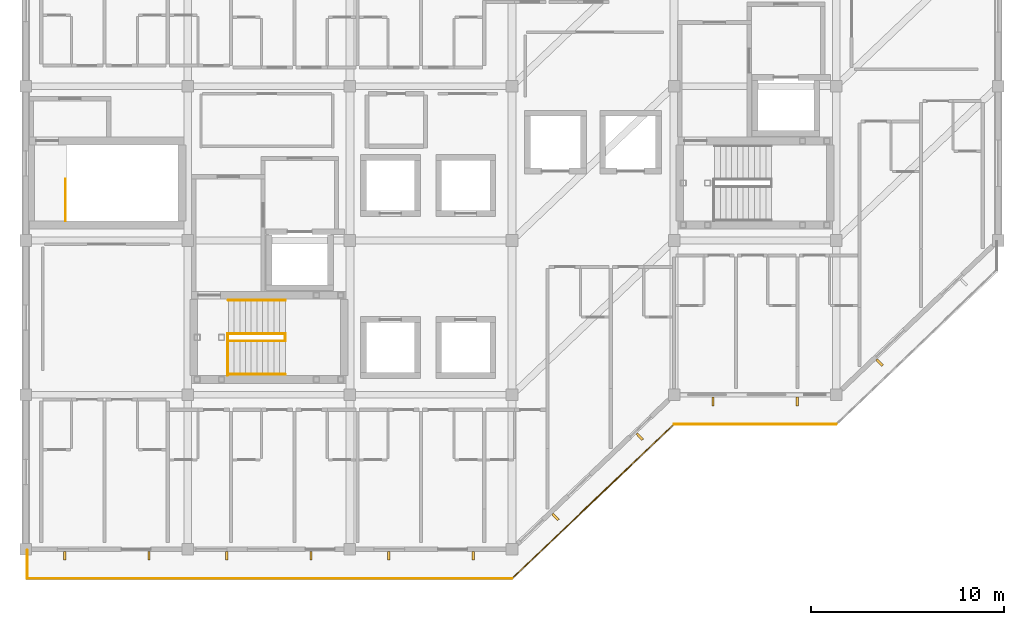
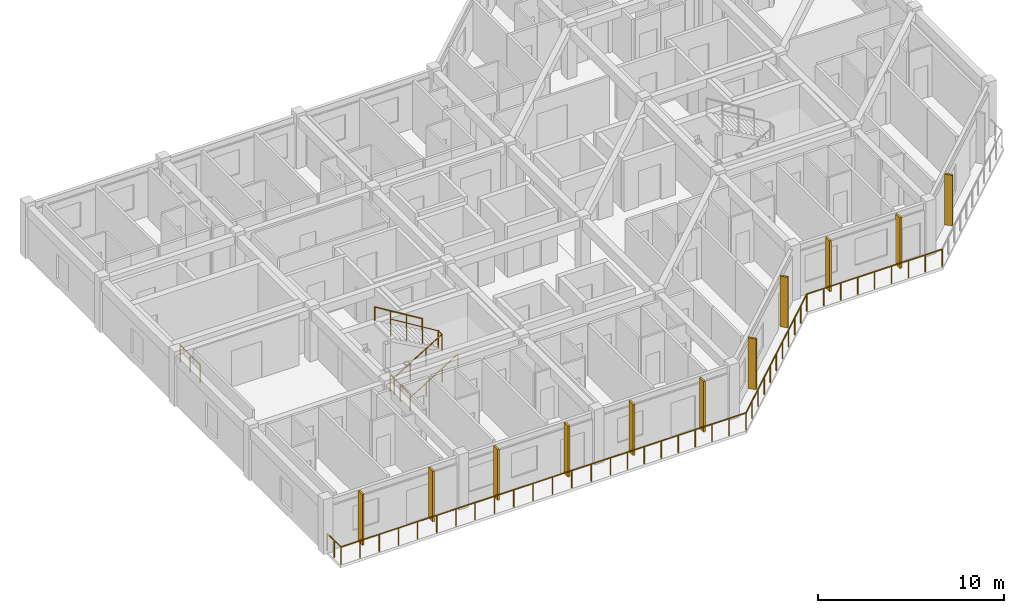
# One storey, part 13 of 14: 13 railings, 11 shading devices.
"""IFC4 building model written with IfcOpenShell, lengths in metres."""

import ifcopenshell
import ifcopenshell.guid

model = None  # the IFC model being written
_history = None  # IfcOwnerHistory: only IFC2X3 demands one
_inside = {}  # id of a spatial element -> (the spatial element, [elements in it])
_under = {}  # id of a project, library or spatial element -> (it, [spatial elements below it])
_declared = {}  # id of a project -> (the project, [libraries it declares])
_typed = {}  # id of a type object -> (the type object, [elements of that type])
_made_of = {}  # id of a material, layer set ... -> (it, [elements and type objects made of it])


def new_model(schema):
    """Start an empty IFC model of exactly this schema.

    Asked for "IFC4X3", IfcOpenShell would pick the latest addendum, in which some entities
    have other attributes; the version numbers below select the first issue.
    IFC2X3 requires an IfcOwnerHistory on every rooted entity: one is made here for all.
    """
    global model, _history
    if schema == "IFC4X3":
        model = ifcopenshell.file(schema_version=(4, 3, 0, 0))
    else:
        model = ifcopenshell.file(schema=schema)
    _inside.clear()
    _under.clear()
    _declared.clear()
    _typed.clear()
    _made_of.clear()
    _history = None
    if model.schema == "IFC2X3":
        org = make("IfcOrganization", Name="unknown")
        user = make(
            "IfcPersonAndOrganization",
            ThePerson=make("IfcPerson", FamilyName="unknown"),
            TheOrganization=org,
        )
        app = make(
            "IfcApplication",
            ApplicationDeveloper=org,
            Version="unknown",
            ApplicationFullName="unknown",
            ApplicationIdentifier="unknown",
        )
        _history = make(
            "IfcOwnerHistory",
            OwningUser=user,
            OwningApplication=app,
            ChangeAction="ADDED",
            CreationDate=0,
        )
    return model


def make(cls, **values):
    """One entity of the class cls with the attributes given. An attribute that is None is left unset."""
    return model.create_entity(
        cls, **{name: value for name, value in values.items() if value is not None}
    )


def rooted(cls, **values):
    """An entity with a GlobalId (a new one), such as an element, a storey or a relation."""
    return make(cls, GlobalId=ifcopenshell.guid.new(), OwnerHistory=_history, **values)


def si_unit(unit_type, name, prefix=None):
    """IfcSIUnit, for example si_unit("LENGTHUNIT", "METRE", prefix="MILLI")."""
    return make("IfcSIUnit", UnitType=unit_type, Prefix=prefix, Name=name)


def assignment(units):
    """IfcUnitAssignment: the units of a project."""
    return None if units is None else make("IfcUnitAssignment", Units=units)


def point(xyz):
    """IfcCartesianPoint."""
    return None if xyz is None else make("IfcCartesianPoint", Coordinates=xyz)


def direction(xyz):
    """IfcDirection."""
    return None if xyz is None else make("IfcDirection", DirectionRatios=xyz)


def frame(location, z_axis=None, x_axis=None):
    """IfcAxis2Placement3D, a coordinate frame: its origin and axes. An axis left out is left unset."""
    return make(
        "IfcAxis2Placement3D",
        Location=point(location),
        Axis=direction(z_axis),
        RefDirection=direction(x_axis),
    )


def frame_2d(location, x_axis=None):
    """IfcAxis2Placement2D, a coordinate frame in the plane: its origin and x axis."""
    return make(
        "IfcAxis2Placement2D", Location=point(location), RefDirection=direction(x_axis)
    )


def origin():
    """The frame at (0, 0, 0) with its axes left unset."""
    return frame((0.0, 0.0, 0.0))


def origin_2d():
    """The frame at (0, 0) in the plane with its x axis left unset."""
    return frame_2d((0.0, 0.0))


def place(relative_to, where):
    """IfcLocalPlacement: puts the frame where relative to a parent placement (None: the world)."""
    return make(
        "IfcLocalPlacement", PlacementRelTo=relative_to, RelativePlacement=where
    )


def context(
    kind, dimensions, precision=None, world=None, true_north=None, identifier=None
):
    """IfcGeometricRepresentationContext, for example the 3D "Model" context."""
    return make(
        "IfcGeometricRepresentationContext",
        ContextIdentifier=identifier,
        ContextType=kind,
        CoordinateSpaceDimension=dimensions,
        Precision=precision,
        WorldCoordinateSystem=world,
        TrueNorth=true_north,
    )


def subcontext(parent, identifier, kind, view, scale=None):
    """IfcGeometricRepresentationSubContext, for example "Body" below "Model"."""
    return make(
        "IfcGeometricRepresentationSubContext",
        ContextIdentifier=identifier,
        ContextType=kind,
        ParentContext=parent,
        TargetScale=scale,
        TargetView=view,
    )


def project(units=None, contexts=None):
    """IfcProject with its units and contexts."""
    return rooted(
        "IfcProject",
        Name="project",
        RepresentationContexts=contexts,
        UnitsInContext=assignment(units),
    )


def spatial(cls, under=None, at=None, **own):
    """A site, building, storey or space (cls), placed at a placement, below another one or the project."""
    s = rooted(cls, ObjectPlacement=at, **own)
    if under is not None:
        _under.setdefault(under.id(), (under, []))[1].append(s)
    return s


def profile(cls, at=None, kind="AREA", **sizes):
    """A parametric profile (cls). Its sizes go by their IFC names, for example OverallWidth=200.0."""
    return make(cls, ProfileType=kind, Position=at, **sizes)


def rectangle(**sizes):
    """IfcRectangleProfileDef."""
    return profile("IfcRectangleProfileDef", **sizes)


def circle(**sizes):
    """IfcCircleProfileDef."""
    return profile("IfcCircleProfileDef", **sizes)


def extrude(swept, where, along, depth):
    """IfcExtrudedAreaSolid: the profile swept, set in the frame where, extruded along a direction by depth."""
    return make(
        "IfcExtrudedAreaSolid",
        SweptArea=swept,
        Position=where,
        ExtrudedDirection=direction(along),
        Depth=depth,
    )


def shape(context_of_items, identifier, shape_type, items):
    """IfcShapeRepresentation: the items that make up one representation, for example the "Body"."""
    return make(
        "IfcShapeRepresentation",
        ContextOfItems=context_of_items,
        RepresentationIdentifier=identifier,
        RepresentationType=shape_type,
        Items=items,
    )


def material(Name=None, Category=None):
    """IfcMaterial."""
    return make("IfcMaterial", Name=Name, Category=Category)


def layer(
    of_material, thickness, ventilated=None, Name=None, Category=None, Priority=None
):
    """IfcMaterialLayer: one layer of a wall or slab, of a material (None: an air gap)."""
    return make(
        "IfcMaterialLayer",
        Material=of_material,
        LayerThickness=thickness,
        IsVentilated=ventilated,
        Name=Name,
        Category=Category,
        Priority=Priority,
    )


def layer_set(layers, Name=None):
    """IfcMaterialLayerSet."""
    return make("IfcMaterialLayerSet", MaterialLayers=layers, LayerSetName=Name)


def made_of(thing, what):
    """Note that an element or type object is made of a material, layer set ...; save() writes the relation."""
    if what is not None:
        _made_of.setdefault(what.id(), (what, []))[1].append(thing)
    return thing


def type_object(cls, material=None, **own):
    """A type object (cls), such as IfcWallType, which elements share."""
    return made_of(rooted(cls, **own), material)


def element(
    cls,
    number,
    at=None,
    inside=None,
    cuts=None,
    type_object=None,
    material=None,
    context=None,
    identifier="Body",
    shape_type=None,
    held_by="IfcProductDefinitionShape",
    body=None,
    shapes=None,
    **own,
):
    """One element of the class cls, such as IfcWall. Its Tag is "e" and its number.

    at: its placement. inside: the storey or other place that contains it. cuts: it is an
    opening in that element (IfcRelVoidsElement). A single representation is given by context,
    identifier, shape_type and body (its items); several are given by shapes. held_by: the class
    of the entity that holds the representations. save() writes the other relations.
    """
    e = rooted(cls, Tag="e%d" % number, ObjectPlacement=at, **own)
    if body is not None:
        shapes = [shape(context, identifier, shape_type, body)]
    if shapes is not None:
        e.Representation = make(held_by, Representations=shapes)
    if inside is not None:
        _inside.setdefault(inside.id(), (inside, []))[1].append(e)
    if cuts is not None:
        rooted(
            "IfcRelVoidsElement", RelatingBuildingElement=cuts, RelatedOpeningElement=e
        )
    if type_object is not None:
        _typed.setdefault(type_object.id(), (type_object, []))[1].append(e)
    return made_of(e, material)


def aggregate(whole, parts):
    """IfcRelAggregates: a whole, such as a stair, and the parts it consists of."""
    return rooted("IfcRelAggregates", RelatingObject=whole, RelatedObjects=parts)


def save(model, path):
    """Write the relations noted so far, then the file.

    IfcRelAggregates (storeys below a building ...), IfcRelContainedInSpatialStructure (elements
    in a storey), IfcRelDefinesByType, IfcRelAssociatesMaterial and IfcRelDeclares: one each for
    every whole, place, type object, material and project.
    """
    for whole, parts in _under.values():
        aggregate(whole, parts)
    for where, things in _inside.values():
        rooted(
            "IfcRelContainedInSpatialStructure",
            RelatedElements=things,
            RelatingStructure=where,
        )
    for kind, things in _typed.values():
        rooted("IfcRelDefinesByType", RelatedObjects=things, RelatingType=kind)
    for what, things in _made_of.values():
        rooted("IfcRelAssociatesMaterial", RelatedObjects=things, RelatingMaterial=what)
    for by, libraries in _declared.values():
        rooted("IfcRelDeclares", RelatingContext=by, RelatedDefinitions=libraries)
    model.write(path)


model = new_model("IFC4")

# Units and contexts
model_context = context("Model", 3, precision=1e-05, world=origin(), true_north=direction((0.0, 1.0)))
body_context = subcontext(model_context, "Body", "Model", "MODEL_VIEW")
ifc_project = project(units=[si_unit("LENGTHUNIT", "METRE"), si_unit("AREAUNIT", "SQUARE_METRE"), si_unit("VOLUMEUNIT", "CUBIC_METRE"), si_unit("PLANEANGLEUNIT", "RADIAN"), si_unit("MASSUNIT", "GRAM", prefix="KILO")], contexts=[model_context])

# Site, building, storey
site_placement = place(None, origin())
site = spatial("IfcSite", under=ifc_project, at=site_placement, CompositionType="ELEMENT")
building_placement = place(site_placement, origin())
building = spatial("IfcBuilding", under=site, at=building_placement, Name="Naruveol Harbour Congress Hotel", CompositionType="ELEMENT")
storey_placement = place(building_placement, frame((0.0, 0.0, 39.60009765625)))
storey = spatial("IfcBuildingStorey", under=building, at=storey_placement, Name="L09", CompositionType="ELEMENT", Elevation=39.60009765625)

# Railings
ifc_material_1 = material(Name="Tempered Laminated Safety Glass & Stainless Steel", Category="steel")
ifc_layer_1 = layer(ifc_material_1, 0.06005859375)
ifc_layer_set_1 = layer_set([ifc_layer_1], Name="Tempered Laminated Safety Glass & Stainless Steel")
railing_type_1 = type_object("IfcRailingType", Name="LAMINATED GLASS TERRACE BALUSTRADE 1150", PredefinedType="BALUSTRADE", material=ifc_layer_set_1)
railing_1_placement = place(storey_placement, frame((117.679931640625, -0.06005859375, 0.0)))
element("IfcRailing", 1, at=railing_1_placement, inside=storey, type_object=railing_type_1, Name="L09 Harbour balcony balustrade #120", PredefinedType="BALUSTRADE", context=body_context, shape_type="SweptSolid", body=[
    extrude(circle(Radius=0.02392578125, at=origin_2d()), frame((0.0, 0.0, 1.1259765625), z_axis=(0.0, -1.0, 0.0), x_axis=(1.0, 0.0, 0.0)), (0.0, 0.0, 1.0), 1.4599609375),
    extrude(circle(Radius=0.02099609375, at=origin_2d()), origin(), (0.0, 0.0, 1.0), 1.101806640625),
    extrude(circle(Radius=0.02099609375, at=origin_2d()), frame((0.0, -0.72998046875, 0.0)), (0.0, 0.0, 1.0), 1.101806640625),
    extrude(circle(Radius=0.02099609375, at=origin_2d()), frame((0.0, -1.4599609375, 0.0)), (0.0, 0.0, 1.0), 1.101806640625),
])
railing_2_placement = place(storey_placement, frame((117.679931640625, -1.52001953125, 0.0)))
element("IfcRailing", 2, at=railing_2_placement, inside=storey, type_object=railing_type_1, Name="L09 Harbour balcony balustrade #121", PredefinedType="BALUSTRADE", context=body_context, shape_type="SweptSolid", body=[
    extrude(circle(Radius=0.02392578125, at=origin_2d()), frame((0.0, 0.0, 1.1259765625), z_axis=(1.0, 0.0, 0.0), x_axis=(0.0, 1.0, 0.0)), (0.0, 0.0, 1.0), 8.320068359375),
    extrude(circle(Radius=0.02099609375, at=origin_2d()), origin(), (0.0, 0.0, 1.0), 1.101806640625),
    extrude(circle(Radius=0.02099609375, at=origin_2d()), frame((1.1884765625, 0.0, 0.0)), (0.0, 0.0, 1.0), 1.101806640625),
    extrude(circle(Radius=0.02099609375, at=origin_2d()), frame((2.377197265625, 0.0, 0.0)), (0.0, 0.0, 1.0), 1.101806640625),
    extrude(circle(Radius=0.02099609375, at=origin_2d()), frame((3.565673828125, 0.0, 0.0)), (0.0, 0.0, 1.0), 1.101806640625),
    extrude(circle(Radius=0.02099609375, at=origin_2d()), frame((4.75439453125, 0.0, 0.0)), (0.0, 0.0, 1.0), 1.101806640625),
    extrude(circle(Radius=0.02099609375, at=origin_2d()), frame((5.94287109375, 0.0, 0.0)), (0.0, 0.0, 1.0), 1.101806640625),
    extrude(circle(Radius=0.02099609375, at=origin_2d()), frame((7.131591796875, 0.0, 0.0)), (0.0, 0.0, 1.0), 1.101806640625),
    extrude(circle(Radius=0.02099609375, at=origin_2d()), frame((8.320068359375, 0.0, 0.0)), (0.0, 0.0, 1.0), 1.101806640625),
])
railing_3_placement = place(storey_placement, frame((126.0, -1.52001953125, 0.0)))
element("IfcRailing", 3, at=railing_3_placement, inside=storey, type_object=railing_type_1, Name="L09 Harbour balcony balustrade #122", PredefinedType="BALUSTRADE", context=body_context, shape_type="SweptSolid", body=[
    extrude(circle(Radius=0.02392578125, at=origin_2d()), frame((0.0, 0.0, 1.1259765625), z_axis=(1.0, 0.0, 0.0), x_axis=(0.0, 1.0, 0.0)), (0.0, 0.0, 1.0), 8.39990234375),
    extrude(circle(Radius=0.02099609375, at=origin_2d()), origin(), (0.0, 0.0, 1.0), 1.101806640625),
    extrude(circle(Radius=0.02099609375, at=origin_2d()), frame((1.199951171875, 0.0, 0.0)), (0.0, 0.0, 1.0), 1.101806640625),
    extrude(circle(Radius=0.02099609375, at=origin_2d()), frame((2.39990234375, 0.0, 0.0)), (0.0, 0.0, 1.0), 1.101806640625),
    extrude(circle(Radius=0.02099609375, at=origin_2d()), frame((3.599853515625, 0.0, 0.0)), (0.0, 0.0, 1.0), 1.101806640625),
    extrude(circle(Radius=0.02099609375, at=origin_2d()), frame((4.800048828125, 0.0, 0.0)), (0.0, 0.0, 1.0), 1.101806640625),
    extrude(circle(Radius=0.02099609375, at=origin_2d()), frame((6.0, 0.0, 0.0)), (0.0, 0.0, 1.0), 1.101806640625),
    extrude(circle(Radius=0.02099609375, at=origin_2d()), frame((7.199951171875, 0.0, 0.0)), (0.0, 0.0, 1.0), 1.101806640625),
    extrude(circle(Radius=0.02099609375, at=origin_2d()), frame((8.39990234375, 0.0, 0.0)), (0.0, 0.0, 1.0), 1.101806640625),
])
railing_4_placement = place(storey_placement, frame((134.39990234375, -1.52001953125, 0.0)))
element("IfcRailing", 4, at=railing_4_placement, inside=storey, type_object=railing_type_1, Name="L09 Harbour balcony balustrade #123", PredefinedType="BALUSTRADE", context=body_context, shape_type="SweptSolid", body=[
    extrude(circle(Radius=0.02392578125, at=origin_2d()), frame((0.0, 0.0, 1.1259765625), z_axis=(1.0, 0.0, 0.0), x_axis=(0.0, 1.0, 0.0)), (0.0, 0.0, 1.0), 8.400146484375),
    extrude(circle(Radius=0.02099609375, at=origin_2d()), origin(), (0.0, 0.0, 1.0), 1.101806640625),
    extrude(circle(Radius=0.02099609375, at=origin_2d()), frame((1.050048828125, 0.0, 0.0)), (0.0, 0.0, 1.0), 1.101806640625),
    extrude(circle(Radius=0.02099609375, at=origin_2d()), frame((2.10009765625, 0.0, 0.0)), (0.0, 0.0, 1.0), 1.101806640625),
    extrude(circle(Radius=0.02099609375, at=origin_2d()), frame((3.150146484375, 0.0, 0.0)), (0.0, 0.0, 1.0), 1.101806640625),
    extrude(circle(Radius=0.02099609375, at=origin_2d()), frame((4.2001953125, 0.0, 0.0)), (0.0, 0.0, 1.0), 1.101806640625),
    extrude(circle(Radius=0.02099609375, at=origin_2d()), frame((5.25, 0.0, 0.0)), (0.0, 0.0, 1.0), 1.101806640625),
    extrude(circle(Radius=0.02099609375, at=origin_2d()), frame((6.300048828125, 0.0, 0.0)), (0.0, 0.0, 1.0), 1.101806640625),
    extrude(circle(Radius=0.02099609375, at=origin_2d()), frame((7.35009765625, 0.0, 0.0)), (0.0, 0.0, 1.0), 1.101806640625),
    extrude(circle(Radius=0.02099609375, at=origin_2d()), frame((8.400146484375, 0.0, 0.0)), (0.0, 0.0, 1.0), 1.101806640625),
])
railing_5_placement = place(storey_placement, frame((142.800048828125, -1.52001953125, 0.0)))
element("IfcRailing", 5, at=railing_5_placement, inside=storey, type_object=railing_type_1, Name="L09 Harbour balcony balustrade #124", PredefinedType="BALUSTRADE", context=body_context, shape_type="SweptSolid", body=[
    extrude(circle(Radius=0.02392578125, at=origin_2d()), frame((0.0, 0.0, 1.1259765625), z_axis=(0.724133926887, 0.689659376744, 0.0), x_axis=(-0.689659376744, 0.724133926887, 0.0)), (0.0, 0.0, 1.0), 11.599853515625),
    extrude(circle(Radius=0.02099609375, at=origin_2d()), origin(), (0.0, 0.0, 1.0), 1.101806640625),
    extrude(circle(Radius=0.02099609375, at=origin_2d()), frame((0.840087890625, 0.800048828125, 0.0)), (0.0, 0.0, 1.0), 1.101806640625),
    extrude(circle(Radius=0.02099609375, at=origin_2d()), frame((1.679931640625, 1.60009765625, 0.0)), (0.0, 0.0, 1.0), 1.101806640625),
    extrude(circle(Radius=0.02099609375, at=origin_2d()), frame((2.52001953125, 2.39990234375, 0.0)), (0.0, 0.0, 1.0), 1.101806640625),
    extrude(circle(Radius=0.02099609375, at=origin_2d()), frame((3.35986328125, 3.199951171875, 0.0)), (0.0, 0.0, 1.0), 1.101806640625),
    extrude(circle(Radius=0.02099609375, at=origin_2d()), frame((4.199951171875, 4.0, 0.0)), (0.0, 0.0, 1.0), 1.101806640625),
    extrude(circle(Radius=0.02099609375, at=origin_2d()), frame((5.0400390625, 4.800048828125, 0.0)), (0.0, 0.0, 1.0), 1.101806640625),
    extrude(circle(Radius=0.02099609375, at=origin_2d()), frame((5.8798828125, 5.60009765625, 0.0)), (0.0, 0.0, 1.0), 1.101806640625),
    extrude(circle(Radius=0.02099609375, at=origin_2d()), frame((6.719970703125, 6.39990234375, 0.0)), (0.0, 0.0, 1.0), 1.101806640625),
    extrude(circle(Radius=0.02099609375, at=origin_2d()), frame((7.559814453125, 7.199951171875, 0.0)), (0.0, 0.0, 1.0), 1.101806640625),
    extrude(circle(Radius=0.02099609375, at=origin_2d()), frame((8.39990234375, 8.0, 0.0)), (0.0, 0.0, 1.0), 1.101806640625),
])
railing_6_placement = place(storey_placement, frame((151.199951171875, 6.47998046875, 0.0)))
element("IfcRailing", 6, at=railing_6_placement, inside=storey, type_object=railing_type_1, Name="L09 Harbour balcony balustrade #125", PredefinedType="BALUSTRADE", context=body_context, shape_type="SweptSolid", body=[
    extrude(circle(Radius=0.02392578125, at=origin_2d()), frame((0.0, 0.0, 1.1259765625), z_axis=(1.0, 0.0, 0.0), x_axis=(0.0, 1.0, 0.0)), (0.0, 0.0, 1.0), 8.400146484375),
    extrude(circle(Radius=0.02099609375, at=origin_2d()), origin(), (0.0, 0.0, 1.0), 1.101806640625),
    extrude(circle(Radius=0.02099609375, at=origin_2d()), frame((1.050048828125, 0.0, 0.0)), (0.0, 0.0, 1.0), 1.101806640625),
    extrude(circle(Radius=0.02099609375, at=origin_2d()), frame((2.10009765625, 0.0, 0.0)), (0.0, 0.0, 1.0), 1.101806640625),
    extrude(circle(Radius=0.02099609375, at=origin_2d()), frame((3.150146484375, 0.0, 0.0)), (0.0, 0.0, 1.0), 1.101806640625),
    extrude(circle(Radius=0.02099609375, at=origin_2d()), frame((4.2001953125, 0.0, 0.0)), (0.0, 0.0, 1.0), 1.101806640625),
    extrude(circle(Radius=0.02099609375, at=origin_2d()), frame((5.25, 0.0, 0.0)), (0.0, 0.0, 1.0), 1.101806640625),
    extrude(circle(Radius=0.02099609375, at=origin_2d()), frame((6.300048828125, 0.0, 0.0)), (0.0, 0.0, 1.0), 1.101806640625),
    extrude(circle(Radius=0.02099609375, at=origin_2d()), frame((7.35009765625, 0.0, 0.0)), (0.0, 0.0, 1.0), 1.101806640625),
    extrude(circle(Radius=0.02099609375, at=origin_2d()), frame((8.400146484375, 0.0, 0.0)), (0.0, 0.0, 1.0), 1.101806640625),
])

# Shading devices
ifc_material_2 = material(Name="Precast concrete C40/50", Category="concrete")
shading_device_type = type_object("IfcShadingDeviceType", Name="PRECAST VERTICAL BRISE SOLEIL FIN 120X450", PredefinedType="JALOUSIE", material=ifc_material_2)
for number, where, z_axis, x_axis, name in (
    (7, (123.98388671875, -0.340087890625, 0.0), (0.0, 0.0, 1.0), (-1.0, 0.0, 0.0), "Precast brise-soleil fin BS-V450 #94"),
    (8, (119.615966796875, -0.340087890625, 0.0), (0.0, 0.0, 1.0), (-1.0, 0.0, 0.0), "Precast brise-soleil fin BS-V450 #95"),
    (9, (132.384033203125, -0.340087890625, 0.0), (0.0, 0.0, 1.0), (-1.0, 0.0, 0.0), "Precast brise-soleil fin BS-V450 #96"),
    (10, (128.01611328125, -0.340087890625, 0.0), (0.0, 0.0, 1.0), (-1.0, 0.0, 0.0), "Precast brise-soleil fin BS-V450 #97"),
    (11, (140.783935546875, -0.340087890625, 0.0), (0.0, 0.0, 1.0), (-1.0, 0.0, 0.0), "Precast brise-soleil fin BS-V450 #98"),
    (12, (136.416015625, -0.340087890625, 0.0), (0.0, 0.0, 1.0), (-1.0, 0.0, 0.0), "Precast brise-soleil fin BS-V450 #99"),
    (13, (149.4189453125, 5.833984375, 0.0), (0.0, 0.0, 1.0), (-0.724171861437, -0.689619543736, 0.0), "Precast brise-soleil fin BS-V450 #100"),
    (14, (145.051025390625, 1.674072265625, 0.0), (0.0, 0.0, 1.0), (-0.724171861437, -0.689619543736, 0.0), "Precast brise-soleil fin BS-V450 #101"),
    (15, (157.583984375, 7.659912109375, 0.0), (0.0, 0.0, 1.0), (-1.0, 0.0, 0.0), "Precast brise-soleil fin BS-V450 #102"),
    (16, (153.216064453125, 7.659912109375, 0.0), (0.0, 0.0, 1.0), (-1.0, 0.0, 0.0), "Precast brise-soleil fin BS-V450 #103"),
    (17, (161.85107421875, 9.674072265625, 0.0), (0.0, 0.0, 1.0), (-0.724171861437, -0.689619543736, 0.0), "Precast brise-soleil fin BS-V450 #105"),
):
    element("IfcShadingDevice", number, at=place(storey_placement, frame(where, z_axis=z_axis, x_axis=x_axis)), inside=storey, type_object=shading_device_type, Name=name, PredefinedType="JALOUSIE", context=body_context, shape_type="SweptSolid", body=[
        extrude(rectangle(XDim=0.1201171875, YDim=0.449951171875, at=origin_2d()), origin(), (0.0, 0.0, 1.0), 3.320068359375),
    ])

# Railings
ifc_material_3 = material(Name="Stainless Steel 304", Category="steel")
ifc_layer_2 = layer(ifc_material_3, 0.0419921875)
ifc_layer_set_2 = layer_set([ifc_layer_2], Name="Stainless Steel 304")
railing_type_2 = type_object("IfcRailingType", Name="STAIR WALL MOUNTED HANDRAIL 900", PredefinedType="HANDRAIL", material=ifc_layer_set_2)
railing_7_placement = place(storey_placement, frame((128.10009765625, 9.06005859375, 0.0)))
element("IfcRailing", 18, at=railing_7_placement, inside=storey, type_object=railing_type_2, Name="Stair ST1 L09 lower wall handrail", PredefinedType="HANDRAIL", context=body_context, shape_type="SweptSolid", body=[
    extrude(circle(Radius=0.02392578125, at=origin_2d()), frame((0.0, 0.0, 0.8759765625), z_axis=(0.853660576587, 0.0, 0.520829741836), x_axis=(0.0, 1.0, 0.0)), (0.0, 0.0, 1.0), 3.45556640625),
    extrude(circle(Radius=0.02099609375, at=origin_2d()), origin(), (0.0, 0.0, 1.0), 0.851806640625),
    extrude(circle(Radius=0.02099609375, at=origin_2d()), frame((0.9833984375, 0.0, 0.599853515625)), (0.0, 0.0, 1.0), 0.851806640625),
    extrude(circle(Radius=0.02099609375, at=origin_2d()), frame((1.966552734375, 0.0, 1.199951171875)), (0.0, 0.0, 1.0), 0.851806640625),
    extrude(circle(Radius=0.02099609375, at=origin_2d()), frame((2.949951171875, 0.0, 1.7998046875)), (0.0, 0.0, 1.0), 0.851806640625),
])
railing_8_placement = place(storey_placement, frame((131.050048828125, 12.89990234375, 1.7998046875)))
element("IfcRailing", 19, at=railing_8_placement, inside=storey, type_object=railing_type_2, Name="Stair ST1 L09 upper wall handrail", PredefinedType="HANDRAIL", context=body_context, shape_type="SweptSolid", body=[
    extrude(circle(Radius=0.02392578125, at=origin_2d()), frame((0.0, 0.0, 0.8759765625), z_axis=(-0.85362916449, 0.0, 0.520881224016), x_axis=(0.0, -1.0, 0.0)), (0.0, 0.0, 1.0), 3.455810546875),
    extrude(circle(Radius=0.02099609375, at=origin_2d()), origin(), (0.0, 0.0, 1.0), 0.851806640625),
    extrude(circle(Radius=0.02099609375, at=origin_2d()), frame((-0.9833984375, 0.0, 0.60009765625)), (0.0, 0.0, 1.0), 0.851806640625),
    extrude(circle(Radius=0.02099609375, at=origin_2d()), frame((-1.966552734375, 0.0, 1.199951171875)), (0.0, 0.0, 1.0), 0.851806640625),
    extrude(circle(Radius=0.02099609375, at=origin_2d()), frame((-2.949951171875, 0.0, 1.800048828125)), (0.0, 0.0, 1.0), 0.851806640625),
])
ifc_material_4 = material(Name="Steel SN490", Category="steel")
ifc_layer_3 = layer(ifc_material_4, 0.044921875)
ifc_layer_set_3 = layer_set([ifc_layer_3], Name="Steel SN490")
railing_type_3 = type_object("IfcRailingType", Name="STAIRWELL STEEL GUARDRAIL 1150", PredefinedType="GUARDRAIL", material=ifc_layer_set_3)
railing_9_placement = place(storey_placement, frame((128.10009765625, 10.7900390625, 0.0)))
element("IfcRailing", 20, at=railing_9_placement, inside=storey, type_object=railing_type_3, Name="Stair ST1 L09 lower well guard", PredefinedType="GUARDRAIL", context=body_context, shape_type="SweptSolid", body=[
    extrude(circle(Radius=0.02392578125, at=origin_2d()), frame((0.0, 0.0, 1.1259765625), z_axis=(0.853660576587, 0.0, 0.520829741836), x_axis=(0.0, 1.0, 0.0)), (0.0, 0.0, 1.0), 3.45556640625),
    extrude(circle(Radius=0.02099609375, at=origin_2d()), origin(), (0.0, 0.0, 1.0), 1.101806640625),
    extrude(circle(Radius=0.02099609375, at=origin_2d()), frame((0.9833984375, 0.0, 0.599853515625)), (0.0, 0.0, 1.0), 1.101806640625),
    extrude(circle(Radius=0.02099609375, at=origin_2d()), frame((1.966552734375, 0.0, 1.199951171875)), (0.0, 0.0, 1.0), 1.101806640625),
    extrude(circle(Radius=0.02099609375, at=origin_2d()), frame((2.949951171875, 0.0, 1.7998046875)), (0.0, 0.0, 1.0), 1.101806640625),
])
railing_10_placement = place(storey_placement, frame((131.050048828125, 10.7900390625, 1.7998046875)))
element("IfcRailing", 21, at=railing_10_placement, inside=storey, type_object=railing_type_3, Name="Stair ST1 L09 half-landing slot guard", PredefinedType="GUARDRAIL", context=body_context, shape_type="SweptSolid", body=[
    extrude(circle(Radius=0.02392578125, at=origin_2d()), frame((0.0, 0.0, 1.1259765625), z_axis=(0.0, 1.0, 0.0), x_axis=(-1.0, 0.0, 0.0)), (0.0, 0.0, 1.0), 0.3798828125),
    extrude(circle(Radius=0.02099609375, at=origin_2d()), origin(), (0.0, 0.0, 1.0), 1.101806640625),
    extrude(circle(Radius=0.02099609375, at=origin_2d()), frame((0.0, 0.3798828125, 0.0)), (0.0, 0.0, 1.0), 1.101806640625),
])
railing_11_placement = place(storey_placement, frame((131.050048828125, 11.169921875, 1.7998046875)))
element("IfcRailing", 22, at=railing_11_placement, inside=storey, type_object=railing_type_3, Name="Stair ST1 L09 upper well guard", PredefinedType="GUARDRAIL", context=body_context, shape_type="SweptSolid", body=[
    extrude(circle(Radius=0.02392578125, at=origin_2d()), frame((0.0, 0.0, 1.1259765625), z_axis=(-0.85362916449, 0.0, 0.520881224016), x_axis=(0.0, -1.0, 0.0)), (0.0, 0.0, 1.0), 3.455810546875),
    extrude(circle(Radius=0.02099609375, at=origin_2d()), origin(), (0.0, 0.0, 1.0), 1.101806640625),
    extrude(circle(Radius=0.02099609375, at=origin_2d()), frame((-0.9833984375, 0.0, 0.60009765625)), (0.0, 0.0, 1.0), 1.101806640625),
    extrude(circle(Radius=0.02099609375, at=origin_2d()), frame((-1.966552734375, 0.0, 1.199951171875)), (0.0, 0.0, 1.0), 1.101806640625),
    extrude(circle(Radius=0.02099609375, at=origin_2d()), frame((-2.949951171875, 0.0, 1.800048828125)), (0.0, 0.0, 1.0), 1.101806640625),
])
for number, where, name in (
    (23, (128.06005859375, 9.02001953125, 0.0), "Stair ST1 L09 landing well guard"),
    (24, (119.659912109375, 17.02001953125, 0.0), "Stair ST3 L09 top-floor well guard"),
):
    element("IfcRailing", number, at=place(storey_placement, frame(where)), inside=storey, type_object=railing_type_3, Name=name, PredefinedType="GUARDRAIL", context=body_context, shape_type="SweptSolid", body=[
        extrude(circle(Radius=0.02392578125, at=origin_2d()), frame((0.0, 0.0, 1.1259765625), z_axis=(0.0, 1.0, 0.0), x_axis=(-1.0, 0.0, 0.0)), (0.0, 0.0, 1.0), 2.14990234375),
        extrude(circle(Radius=0.02099609375, at=origin_2d()), origin(), (0.0, 0.0, 1.0), 1.101806640625),
        extrude(circle(Radius=0.02099609375, at=origin_2d()), frame((0.0, 1.074951171875, 0.0)), (0.0, 0.0, 1.0), 1.101806640625),
        extrude(circle(Radius=0.02099609375, at=origin_2d()), frame((0.0, 2.14990234375, 0.0)), (0.0, 0.0, 1.0), 1.101806640625),
    ])

save(model, "model.ifc")
